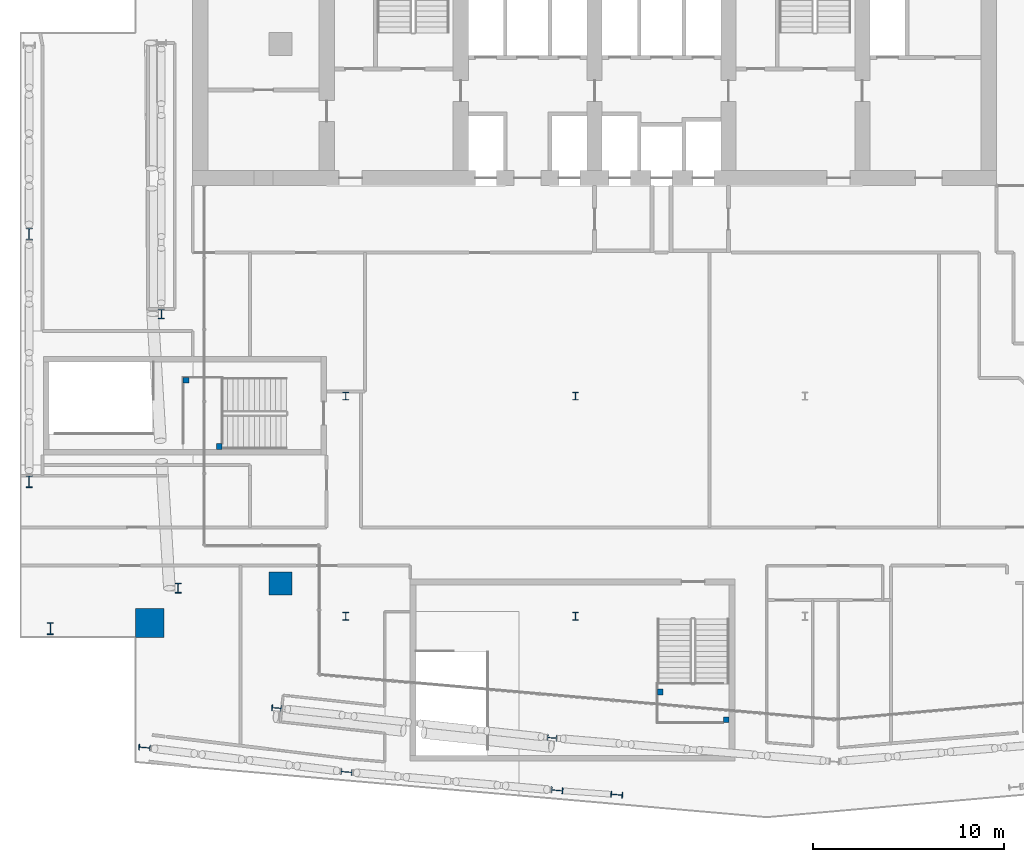
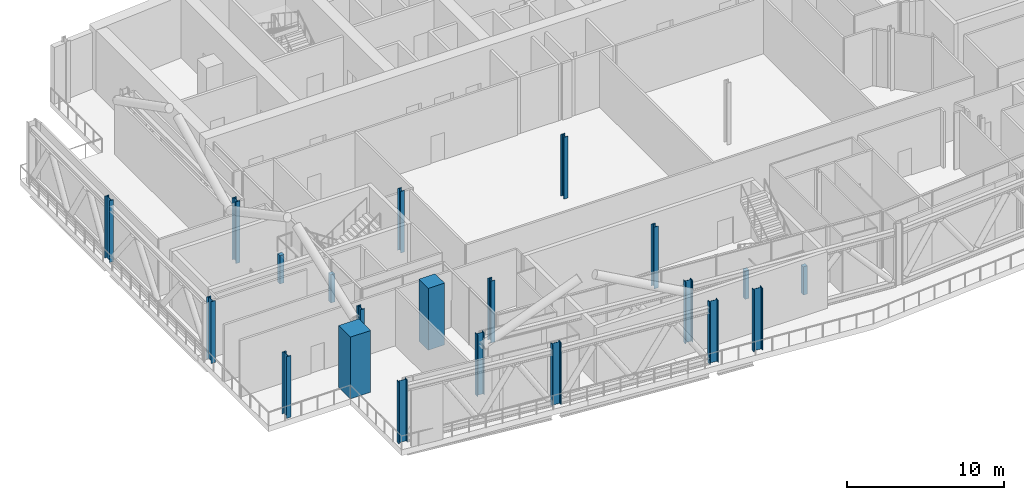
# One storey, part 1 of 35: 21 columns.
"""IFC4 building model written with IfcOpenShell, lengths in metres."""

from ifc_helpers import new_model, si_unit, direction, frame, origin, origin_2d, place, context, subcontext, project, spatial, rectangle, i_section, extrude, material, material_profile, profile_set, type_object, element, save


model = new_model("IFC4")

# Units and contexts
model_context = context("Model", 3, precision=1e-05, world=origin(), true_north=direction((0.0, 1.0)))
body_context = subcontext(model_context, "Body", "Model", "MODEL_VIEW")
ifc_project = project(units=[si_unit("LENGTHUNIT", "METRE"), si_unit("AREAUNIT", "SQUARE_METRE"), si_unit("VOLUMEUNIT", "CUBIC_METRE"), si_unit("PLANEANGLEUNIT", "RADIAN"), si_unit("MASSUNIT", "GRAM", prefix="KILO")], contexts=[model_context])

# Site, building, storey
site_placement = place(None, origin())
site = spatial("IfcSite", under=ifc_project, at=site_placement, CompositionType="ELEMENT")
building_placement = place(site_placement, origin())
building = spatial("IfcBuilding", under=site, at=building_placement, Name="Wharfspan Tower", CompositionType="ELEMENT")
storey_placement = place(building_placement, frame((0.0, 0.0, 202.300049)))
storey = spatial("IfcBuildingStorey", under=building, at=storey_placement, Name="L50", CompositionType="ELEMENT", Elevation=202.300049)

# Columns
ifc_material_1 = material(Name="Steel S355J2", Category="steel")
ifc_material_profile_1 = material_profile(ifc_material_1, i_section(OverallWidth=0.300049, OverallDepth=0.399902, WebThickness=0.013428, FlangeThickness=0.023926, FilletRadius=0.0271, at=origin_2d()))
ifc_profile_set_1 = profile_set([ifc_material_profile_1], Name="Steel S355J2")
column_type_1 = type_object("IfcColumnType", Name="Column HEB 400", PredefinedType="COLUMN", material=ifc_profile_set_1)
for number, where, z_axis, x_axis, name in (
    (1, (24.0, 11.5, 0.0), (0.0, 0.0, 1.0), (1.0, 0.0, 0.0), "Interior column I.1.1 L50"),
    (2, (36.0, 11.5, 0.0), (0.0, 0.0, 1.0), (1.0, 0.0, 0.0), "Interior column I.1.2 L50"),
    (3, (24.0, 23.0, 0.0), (0.0, 0.0, 1.0), (1.0, 0.0, 0.0), "Interior column I.2.1 L50"),
    (4, (36.0, 23.0, 0.0), (0.0, 0.0, 1.0), (1.0, 0.0, 0.0), "Interior column I.2.2 L50"),
):
    element("IfcColumn", number, at=place(storey_placement, frame(where, z_axis=z_axis, x_axis=x_axis)), inside=storey, type_object=column_type_1, Name=name, PredefinedType="COLUMN", context=body_context, shape_type="SweptSolid", body=[
        extrude(i_section(OverallWidth=0.300049, OverallDepth=0.399902, WebThickness=0.013428, FlangeThickness=0.023926, FilletRadius=0.0271, at=origin_2d()), origin(), (0.0, 0.0, 1.0), 4.800049),
    ])
ifc_material_profile_2 = material_profile(ifc_material_1, i_section(OverallWidth=0.305908, OverallDepth=0.523926, WebThickness=0.020996, FlangeThickness=0.040039, FilletRadius=0.0271, at=origin_2d()))
ifc_profile_set_2 = profile_set([ifc_material_profile_2], Name="Steel S355J2")
column_type_2 = type_object("IfcColumnType", Name="Column HEM 500", PredefinedType="COLUMN", material=ifc_profile_set_2)
for number, where, z_axis, x_axis, name in (
    (5, (20.392334, 6.702637, 0.0), (0.0, 0.0, 1.0), (-0.087156, -0.996197, 0.0), "Perimeter column PS1.1 L50"),
    (6, (34.781494, 5.143311, 0.0), (0.0, 0.0, 1.0), (-0.087156, -0.996197, 0.0), "Perimeter column PS1.2 L50"),
    (7, (14.360107, 27.300049, 0.0), (0.0, 0.0, 1.0), (-1.0, 0.0, 0.0), "Perimeter column PW.1 L50"),
    (8, (15.237793, 12.963379, 0.0), (0.0, 0.0, 1.0), (-1.0, 0.0, 0.0), "Perimeter column PW.2 L50"),
):
    element("IfcColumn", number, at=place(storey_placement, frame(where, z_axis=z_axis, x_axis=x_axis)), inside=storey, type_object=column_type_2, Name=name, PredefinedType="COLUMN", context=body_context, shape_type="SweptSolid", body=[
        extrude(i_section(OverallWidth=0.305908, OverallDepth=0.523926, WebThickness=0.020996, FlangeThickness=0.040039, FilletRadius=0.0271, at=origin_2d()), origin(), (0.0, 0.0, 1.0), 4.800049),
    ])
ifc_material_profile_3 = material_profile(ifc_material_1, i_section(OverallWidth=0.304932, OverallDepth=0.620117, WebThickness=0.020996, FlangeThickness=0.040039, FilletRadius=0.0271, at=origin_2d()))
ifc_profile_set_3 = profile_set([ifc_material_profile_3], Name="Steel S355J2")
column_type_3 = type_object("IfcColumnType", Name="Column HEM 600", PredefinedType="COLUMN", material=ifc_profile_set_3)
for number, where, z_axis, x_axis, name in (
    (9, (13.490723, 4.637451, 0.0), (0.0, 0.0, 1.0), (-0.087156, -0.996198, 0.0), "Perimeter column PS1.1.S L50"),
    (10, (24.039307, 3.361084, 0.0), (0.0, 0.0, 1.0), (-0.087156, -0.996198, 0.0), "Perimeter column PS1.2.S L50"),
    (11, (35.039307, 2.398682, 0.0), (0.0, 0.0, 1.0), (-0.087156, -0.996198, 0.0), "Perimeter column PS1.3.S L50"),
    (12, (38.161133, 2.174072, 0.0), (0.0, 0.0, 1.0), (-0.087156, -0.996198, 0.0), "Perimeter column PS1.4.S L50"),
    (13, (7.449951, 31.466553, 0.0), (0.0, 0.0, 1.0), (-1.0, 0.0, 0.0), "Perimeter column PW.1.S L50"),
    (14, (7.449951, 18.533447, 0.0), (0.0, 0.0, 1.0), (-1.0, 0.0, 0.0), "Perimeter column PW.2.S L50"),
    (15, (8.560791, 10.854004, 0.0), (0.0, 0.0, 1.0), (-1.0, 0.0, 0.0), "Perimeter column PW.3.S L50"),
):
    element("IfcColumn", number, at=place(storey_placement, frame(where, z_axis=z_axis, x_axis=x_axis)), inside=storey, type_object=column_type_3, Name=name, PredefinedType="COLUMN", context=body_context, shape_type="SweptSolid", body=[
        extrude(i_section(OverallWidth=0.304932, OverallDepth=0.620117, WebThickness=0.020996, FlangeThickness=0.040039, FilletRadius=0.0271, at=origin_2d()), origin(), (0.0, 0.0, 1.0), 4.800049),
    ])
ifc_material_2 = material(Name="Concrete C40/50", Category="concrete")
ifc_material_profile_4 = material_profile(ifc_material_2, rectangle(XDim=0.300049, YDim=0.300049, at=origin_2d()))
ifc_profile_set_4 = profile_set([ifc_material_profile_4], Name="Concrete C40/50")
column_type_4 = type_object("IfcColumnType", Name="Landing pier 300 C40/50", PredefinedType="COLUMN", material=ifc_profile_set_4)
for number, where, z_axis, x_axis, name in (
    (16, (15.649902, 23.824951, 0.0), (0.0, 0.0, 1.0), (1.0, 0.0, 0.0), "ST3 landing pier L50"),
    (17, (17.389893, 20.375, 0.0), (0.0, 0.0, 1.0), (1.0, 0.0, 0.0), "ST3 landing pier L50"),
    (18, (40.427002, 7.542969, 0.0), (0.0, 0.0, 1.0), (1.0, 0.0, 0.0), "ST4 landing pier L50"),
    (19, (43.876953, 6.093018, 0.0), (0.0, 0.0, 1.0), (1.0, 0.0, 0.0), "ST4 landing pier L50"),
):
    element("IfcColumn", number, at=place(storey_placement, frame(where, z_axis=z_axis, x_axis=x_axis)), inside=storey, type_object=column_type_4, Name=name, PredefinedType="COLUMN", context=body_context, shape_type="SweptSolid", body=[
        extrude(rectangle(XDim=0.300049, YDim=0.300049, at=origin_2d()), origin(), (0.0, 0.0, 1.0), 2.199951),
    ])
ifc_material_3 = material(Name="Concrete C50/60", Category="concrete")
ifc_material_profile_5 = material_profile(ifc_material_3, rectangle(XDim=1.199951, YDim=1.199951, at=origin_2d()))
ifc_profile_set_5 = profile_set([ifc_material_profile_5], Name="Concrete C50/60")
column_type_5 = type_object("IfcColumnType", Name="Mega column 1200 C50/60", PredefinedType="COLUMN", material=ifc_profile_set_5)
column_1_placement = place(storey_placement, frame((20.600098, 13.199951, 0.0), z_axis=(0.0, 0.0, 1.0), x_axis=(1.0, 0.0, 0.0)))
element("IfcColumn", 20, at=column_1_placement, inside=storey, type_object=column_type_5, Name="Mega column MC1 L50", PredefinedType="COLUMN", context=body_context, shape_type="SweptSolid", body=[
    extrude(rectangle(XDim=1.199951, YDim=1.199951, at=origin_2d()), origin(), (0.0, 0.0, 1.0), 4.800049),
])
ifc_material_4 = material(Name="Concrete C60/75", Category="concrete")
ifc_material_profile_6 = material_profile(ifc_material_4, rectangle(XDim=1.5, YDim=1.5, at=origin_2d()))
ifc_profile_set_6 = profile_set([ifc_material_profile_6], Name="Concrete C60/75")
column_type_6 = type_object("IfcColumnType", Name="Mega column 1500 C60/75", PredefinedType="COLUMN", material=ifc_profile_set_6)
column_2_placement = place(storey_placement, frame((13.75, 11.149902, 0.0), z_axis=(0.0, 0.0, 1.0), x_axis=(1.0, 0.0, 0.0)))
element("IfcColumn", 21, at=column_2_placement, inside=storey, type_object=column_type_6, Name="Mega column MC1.S L50", PredefinedType="COLUMN", context=body_context, shape_type="SweptSolid", body=[
    extrude(rectangle(XDim=1.5, YDim=1.5, at=origin_2d()), origin(), (0.0, 0.0, 1.0), 4.800049),
])

save(model, "model.ifc")
